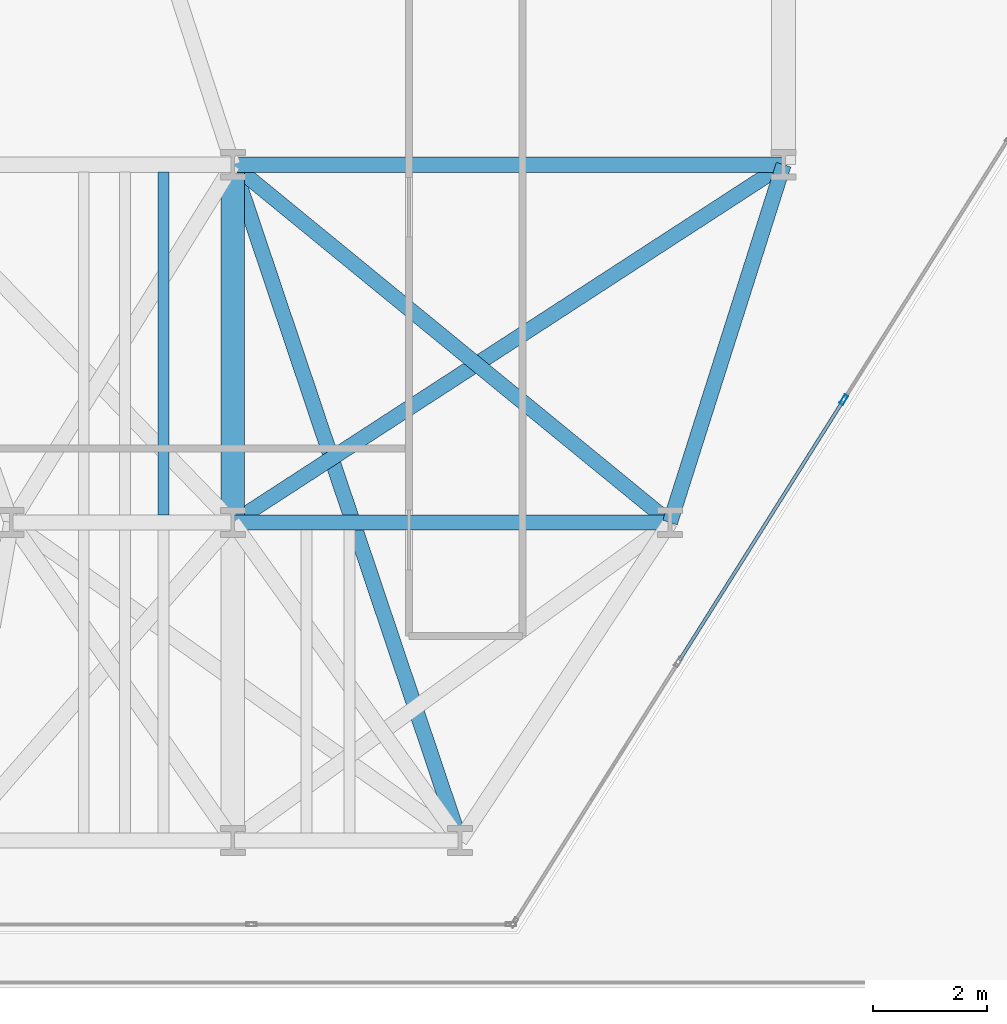
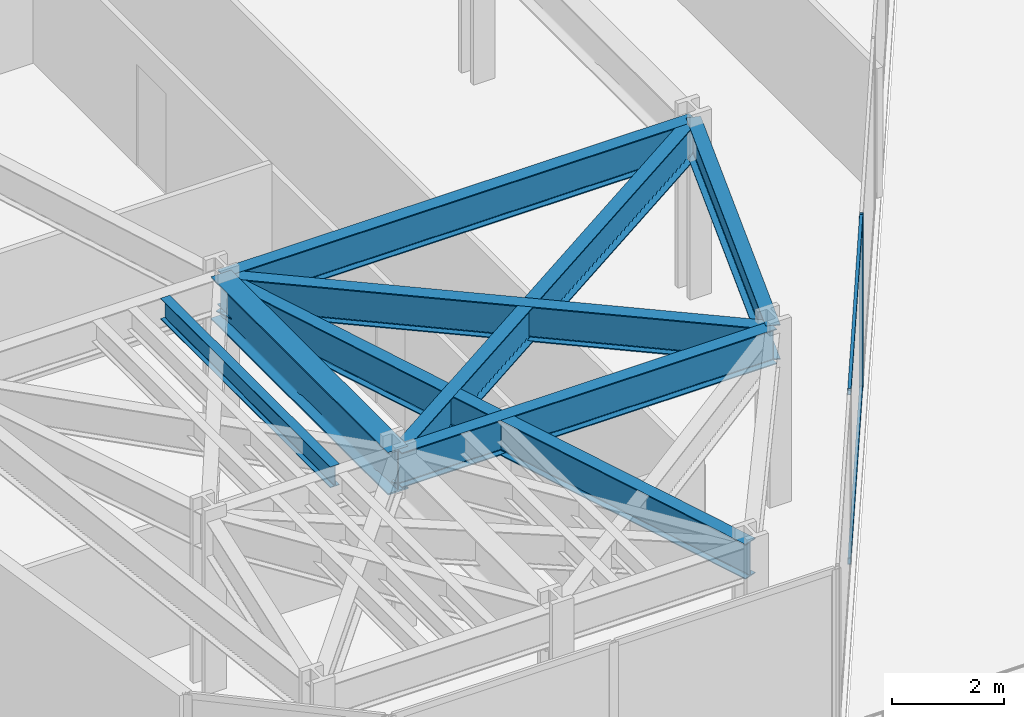
# One storey, part 4 of 25: 8 beams, 3 members, 1 element without a shape of its own.
"""IFC4 building model written with IfcOpenShell, lengths in metres."""

from ifc_helpers import new_model, si_unit, direction, frame, origin, origin_2d, place, context, subcontext, project, spatial, hollow_rectangle, i_section, extrude, material, layer, layer_set, material_profile, profile_set, type_object, element, aggregate, save


model = new_model("IFC4")

# Units and contexts
model_context = context("Model", 3, precision=1e-05, world=origin(), true_north=direction((0.0, 1.0)))
body_context = subcontext(model_context, "Body", "Model", "MODEL_VIEW")
ifc_project = project(units=[si_unit("LENGTHUNIT", "METRE"), si_unit("AREAUNIT", "SQUARE_METRE"), si_unit("VOLUMEUNIT", "CUBIC_METRE"), si_unit("PLANEANGLEUNIT", "RADIAN"), si_unit("MASSUNIT", "GRAM", prefix="KILO")], contexts=[model_context])

# Site, building, storey
site_placement = place(None, origin())
site = spatial("IfcSite", under=ifc_project, at=site_placement, CompositionType="ELEMENT")
building_placement = place(site_placement, origin())
building = spatial("IfcBuilding", under=site, at=building_placement, Name="Kravanh Interchange Tower", CompositionType="ELEMENT")
storey_placement = place(building_placement, frame((0.0, 0.0, 29.5)))
storey = spatial("IfcBuildingStorey", under=building, at=storey_placement, Name="L06", CompositionType="ELEMENT", Elevation=29.5)

# Curtain wall, members
ifc_material_1 = material(Name="Anodised Bronze Aluminium", Category="aluminium")
ifc_layer = layer(ifc_material_1, 0.179931640625)
ifc_layer_set = layer_set([ifc_layer], Name="Unitised Curtain Wall System CW-Z1 Lower Office")
curtain_wall_type = type_object("IfcCurtainWallType", Name="Unitised Curtain Wall System CW-Z1 Lower Office", PredefinedType="NOTDEFINED", material=ifc_layer_set)
curtain_wall_placement = place(storey_placement, origin())
curtain_wall = element("IfcCurtainWall", 1, at=curtain_wall_placement, inside=storey, type_object=curtain_wall_type, Name="L06 Unitised Curtain Wall CW-L06-05", PredefinedType="NOTDEFINED")
ifc_material_2 = material(Name="Anodised Bronze Aluminium", Category="aluminium")
ifc_material_profile_1 = material_profile(ifc_material_2, hollow_rectangle(XDim=0.070068359375, YDim=0.179931640625, WallThickness=0.00390625, at=origin_2d()), Name="ALU70X180X4")
ifc_profile_set_1 = profile_set([ifc_material_profile_1], Name="Anodised Bronze Aluminium")
member_type_1 = type_object("IfcMemberType", Name="Curtain Wall Mullion ALU70X180X4 Bronze", PredefinedType="MULLION", material=ifc_profile_set_1)
member_1_placement = place(storey_placement, frame((28.26025390625, 10.362060546875, 0.0), z_axis=(0.0, 0.0, 1.0), x_axis=(0.845925530786, -0.53330103728, 0.0)))
member_1 = element("IfcMember", 2, at=member_1_placement, type_object=member_type_1, Name="CW-Z1 mullion 4", PredefinedType="MULLION", context=body_context, shape_type="SweptSolid", body=[
    extrude(hollow_rectangle(XDim=0.070068359375, YDim=0.179931640625, WallThickness=0.00390625, at=origin_2d()), origin(), (0.0, 0.0, 1.0), 3.739990234375),
])
ifc_material_3 = material(Name="Anodised Bronze Aluminium", Category="aluminium")
ifc_material_profile_2 = material_profile(ifc_material_3, hollow_rectangle(XDim=0.06005859375, YDim=0.139892578125, WallThickness=0.00390625, at=origin_2d()), Name="ALU60X140X4")
ifc_profile_set_2 = profile_set([ifc_material_profile_2], Name="Anodised Bronze Aluminium")
member_type_2 = type_object("IfcMemberType", Name="Curtain Wall Transom ALU60X140X4 Bronze", PredefinedType="USERDEFINED", material=ifc_profile_set_2)
member_2_placement = place(storey_placement, frame((28.24169921875, 10.332275390625, 0.030029296875), z_axis=(-0.533311487456, -0.84591894254, 0.0), x_axis=(0.84591894254, -0.533311487456, 0.0)))
member_2 = element("IfcMember", 3, at=member_2_placement, type_object=member_type_2, Name="CW-Z1 transom 4.1", ObjectType="TRANSOM", PredefinedType="USERDEFINED", context=body_context, shape_type="SweptSolid", body=[
    extrude(hollow_rectangle(XDim=0.06005859375, YDim=0.139892578125, WallThickness=0.00390625, at=origin_2d()), origin(), (0.0, 0.0, 1.0), 5.392578125),
])
member_3_placement = place(storey_placement, frame((28.24169921875, 10.332275390625, 3.7099609375), z_axis=(-0.533311487456, -0.84591894254, 0.0), x_axis=(0.84591894254, -0.533311487456, 0.0)))
member_3 = element("IfcMember", 4, at=member_3_placement, type_object=member_type_2, Name="CW-Z1 transom 4.2", ObjectType="TRANSOM", PredefinedType="USERDEFINED", context=body_context, shape_type="SweptSolid", body=[
    extrude(hollow_rectangle(XDim=0.06005859375, YDim=0.139892578125, WallThickness=0.00390625, at=origin_2d()), origin(), (0.0, 0.0, 1.0), 5.392578125),
])
aggregate(curtain_wall, [member_1, member_2, member_3])

# Beams
ifc_material_4 = material(Name="Structural Steel S355", Category="steel")
ifc_material_profile_3 = material_profile(ifc_material_4, i_section(OverallWidth=0.41796875, OverallDepth=0.927001953125, WebThickness=0.019287109375, FlangeThickness=0.031982421875, FilletRadius=0.028076171875, at=origin_2d()), Name="W36X231")
ifc_profile_set_3 = profile_set([ifc_material_profile_3], Name="Structural Steel S355")
beam_type_1 = type_object("IfcBeamType", Name="Floor Beam W36X231 Structural Steel S355", PredefinedType="BEAM", material=ifc_profile_set_3)
beam_1_placement = place(storey_placement, frame((17.5, 8.199951171875, 3.276611328125), z_axis=(0.0, 1.0, 0.0), x_axis=(-1.0, 0.0, 0.0)))
element("IfcBeam", 5, at=beam_1_placement, inside=storey, type_object=beam_type_1, Name="L06 Primary Floor Girder 136", PredefinedType="BEAM", context=body_context, shape_type="SweptSolid", body=[
    extrude(i_section(OverallWidth=0.41796875, OverallDepth=0.927001953125, WebThickness=0.019287109375, FlangeThickness=0.031982421875, FilletRadius=0.028076171875, at=origin_2d()), origin(), (0.0, 0.0, 1.0), 6.300048828125),
])
ifc_material_5 = material(Name="Structural Steel S355", Category="steel")
ifc_material_profile_4 = material_profile(ifc_material_5, i_section(OverallWidth=0.18994140625, OverallDepth=0.45703125, WebThickness=0.009033203125, FlangeThickness=0.014404296875, FilletRadius=0.01806640625, at=origin_2d()), Name="W18X50")
ifc_profile_set_4 = profile_set([ifc_material_profile_4], Name="Structural Steel S355")
beam_type_2 = type_object("IfcBeamType", Name="Floor Joist W18X50 Structural Steel S355", PredefinedType="JOIST", material=ifc_profile_set_4)
beam_2_placement = place(storey_placement, frame((16.278076171875, 8.32861328125, 3.511474609375), z_axis=(0.0, 1.0, 0.0), x_axis=(-1.0, 0.0, 0.0)))
element("IfcBeam", 6, at=beam_2_placement, inside=storey, type_object=beam_type_2, Name="L06 Secondary Floor Joist 12", PredefinedType="JOIST", context=body_context, shape_type="SweptSolid", body=[
    extrude(i_section(OverallWidth=0.18994140625, OverallDepth=0.45703125, WebThickness=0.009033203125, FlangeThickness=0.014404296875, FilletRadius=0.01806640625, at=origin_2d()), origin(), (0.0, 0.0, 1.0), 6.04296875),
])
ifc_material_6 = material(Name="Structural Steel S355", Category="steel")
ifc_material_profile_5 = material_profile(ifc_material_6, i_section(OverallWidth=0.26708984375, OverallDepth=0.761962890625, WebThickness=0.014404296875, FlangeThickness=0.021484375, FilletRadius=0.02490234375, at=origin_2d()), Name="W30X116")
ifc_profile_set_5 = profile_set([ifc_material_profile_5], Name="Structural Steel S355")
beam_type_3 = type_object("IfcBeamType", Name="Floor Spandrel W30X116 Structural Steel S355", PredefinedType="SPANDREL", material=ifc_profile_set_5)
beam_3_placement = place(storey_placement, frame((21.5, 2.60009765625, 3.35888671875), z_axis=(-0.318618734989, 0.947882957814, 0.0), x_axis=(-0.947882957814, -0.318618734989, 0.0)))
element("IfcBeam", 7, at=beam_3_placement, inside=storey, type_object=beam_type_3, Name="L06 Perimeter Spandrel 124", PredefinedType="SPANDREL", context=body_context, shape_type="SweptSolid", body=[
    extrude(i_section(OverallWidth=0.26708984375, OverallDepth=0.761962890625, WebThickness=0.014404296875, FlangeThickness=0.021484375, FilletRadius=0.02490234375, at=origin_2d()), origin(), (0.0, 0.0, 1.0), 12.55419921875),
])
beam_4_placement = place(storey_placement, frame((17.5, 8.199951171875, 3.35888671875), z_axis=(1.0, 0.0, 0.0), x_axis=(0.0, 1.0, 0.0)))
element("IfcBeam", 8, at=beam_4_placement, inside=storey, type_object=beam_type_3, Name="L06 Perimeter Spandrel 137", PredefinedType="SPANDREL", context=body_context, shape_type="SweptSolid", body=[
    extrude(i_section(OverallWidth=0.26708984375, OverallDepth=0.761962890625, WebThickness=0.014404296875, FlangeThickness=0.021484375, FilletRadius=0.02490234375, at=origin_2d()), origin(), (0.0, 0.0, 1.0), 7.699951171875),
])
beam_5_placement = place(storey_placement, frame((17.5, 8.199951171875, 3.35888671875), z_axis=(0.838637911458, 0.544689318295, 0.0), x_axis=(-0.544689318295, 0.838637911458, 0.0)))
element("IfcBeam", 9, at=beam_5_placement, inside=storey, type_object=beam_type_3, Name="L06 Perimeter Spandrel 139", PredefinedType="SPANDREL", context=body_context, shape_type="SweptSolid", body=[
    extrude(i_section(OverallWidth=0.26708984375, OverallDepth=0.761962890625, WebThickness=0.014404296875, FlangeThickness=0.021484375, FilletRadius=0.02490234375, at=origin_2d()), origin(), (0.0, 0.0, 1.0), 11.56640625),
])
beam_6_placement = place(storey_placement, frame((25.199951171875, 8.199951171875, 3.35888671875), z_axis=(0.30257700201, 0.953124943465, 0.0), x_axis=(-0.953124943465, 0.30257700201, 0.0)))
element("IfcBeam", 10, at=beam_6_placement, inside=storey, type_object=beam_type_3, Name="L06 Perimeter Spandrel 140", PredefinedType="SPANDREL", context=body_context, shape_type="SweptSolid", body=[
    extrude(i_section(OverallWidth=0.26708984375, OverallDepth=0.761962890625, WebThickness=0.014404296875, FlangeThickness=0.021484375, FilletRadius=0.02490234375, at=origin_2d()), origin(), (0.0, 0.0, 1.0), 6.60986328125),
])
beam_7_placement = place(storey_placement, frame((25.199951171875, 8.199951171875, 3.35888671875), z_axis=(-0.773952925799, 0.633243135491, 0.0), x_axis=(-0.633243135491, -0.773952925799, 0.0)))
element("IfcBeam", 11, at=beam_7_placement, inside=storey, type_object=beam_type_3, Name="L06 Perimeter Spandrel 141", PredefinedType="SPANDREL", context=body_context, shape_type="SweptSolid", body=[
    extrude(i_section(OverallWidth=0.26708984375, OverallDepth=0.761962890625, WebThickness=0.014404296875, FlangeThickness=0.021484375, FilletRadius=0.02490234375, at=origin_2d()), origin(), (0.0, 0.0, 1.0), 9.948974609375),
])
beam_8_placement = place(storey_placement, frame((17.5, 14.5, 3.35888671875), z_axis=(1.0, 0.0, 0.0), x_axis=(0.0, 1.0, 0.0)))
element("IfcBeam", 12, at=beam_8_placement, inside=storey, type_object=beam_type_3, Name="L06 Perimeter Spandrel 144", PredefinedType="SPANDREL", context=body_context, shape_type="SweptSolid", body=[
    extrude(i_section(OverallWidth=0.26708984375, OverallDepth=0.761962890625, WebThickness=0.014404296875, FlangeThickness=0.021484375, FilletRadius=0.02490234375, at=origin_2d()), origin(), (0.0, 0.0, 1.0), 9.699951171875),
])

save(model, "model.ifc")
